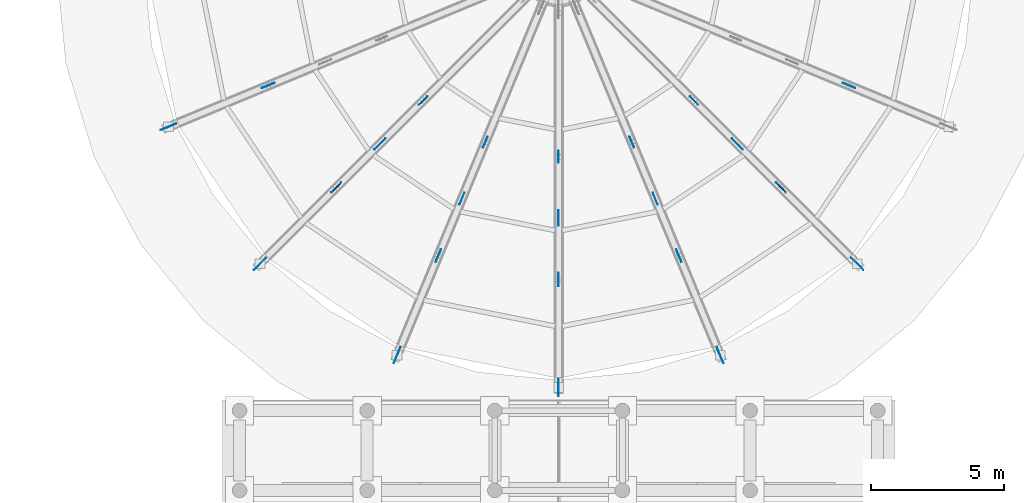
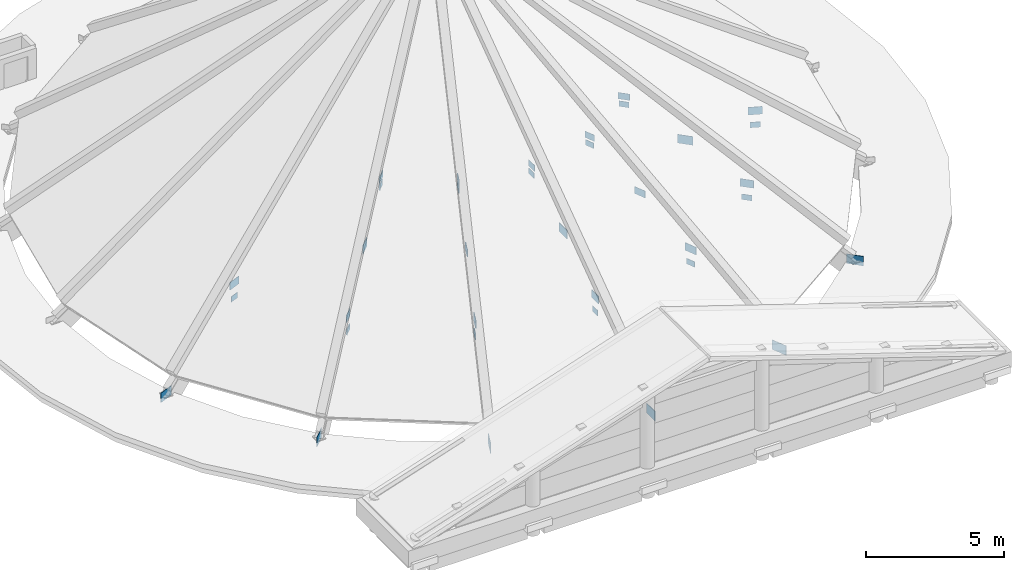
# One storey, part 27 of 58: 35 plates.
"""IFC4 building model written with IfcOpenShell, lengths in metres."""

import ifcopenshell
import ifcopenshell.guid

model = None  # the IFC model being written
_history = None  # IfcOwnerHistory: only IFC2X3 demands one
_inside = {}  # id of a spatial element -> (the spatial element, [elements in it])
_under = {}  # id of a project, library or spatial element -> (it, [spatial elements below it])
_declared = {}  # id of a project -> (the project, [libraries it declares])
_typed = {}  # id of a type object -> (the type object, [elements of that type])
_made_of = {}  # id of a material, layer set ... -> (it, [elements and type objects made of it])


def new_model(schema):
    """Start an empty IFC model of exactly this schema.

    Asked for "IFC4X3", IfcOpenShell would pick the latest addendum, in which some entities
    have other attributes; the version numbers below select the first issue.
    IFC2X3 requires an IfcOwnerHistory on every rooted entity: one is made here for all.
    """
    global model, _history
    if schema == "IFC4X3":
        model = ifcopenshell.file(schema_version=(4, 3, 0, 0))
    else:
        model = ifcopenshell.file(schema=schema)
    _inside.clear()
    _under.clear()
    _declared.clear()
    _typed.clear()
    _made_of.clear()
    _history = None
    if model.schema == "IFC2X3":
        org = make("IfcOrganization", Name="unknown")
        user = make(
            "IfcPersonAndOrganization",
            ThePerson=make("IfcPerson", FamilyName="unknown"),
            TheOrganization=org,
        )
        app = make(
            "IfcApplication",
            ApplicationDeveloper=org,
            Version="unknown",
            ApplicationFullName="unknown",
            ApplicationIdentifier="unknown",
        )
        _history = make(
            "IfcOwnerHistory",
            OwningUser=user,
            OwningApplication=app,
            ChangeAction="ADDED",
            CreationDate=0,
        )
    return model


def make(cls, **values):
    """One entity of the class cls with the attributes given. An attribute that is None is left unset."""
    return model.create_entity(
        cls, **{name: value for name, value in values.items() if value is not None}
    )


def rooted(cls, **values):
    """An entity with a GlobalId (a new one), such as an element, a storey or a relation."""
    return make(cls, GlobalId=ifcopenshell.guid.new(), OwnerHistory=_history, **values)


def si_unit(unit_type, name, prefix=None):
    """IfcSIUnit, for example si_unit("LENGTHUNIT", "METRE", prefix="MILLI")."""
    return make("IfcSIUnit", UnitType=unit_type, Prefix=prefix, Name=name)


def assignment(units):
    """IfcUnitAssignment: the units of a project."""
    return None if units is None else make("IfcUnitAssignment", Units=units)


def point(xyz):
    """IfcCartesianPoint."""
    return None if xyz is None else make("IfcCartesianPoint", Coordinates=xyz)


def direction(xyz):
    """IfcDirection."""
    return None if xyz is None else make("IfcDirection", DirectionRatios=xyz)


def frame(location, z_axis=None, x_axis=None):
    """IfcAxis2Placement3D, a coordinate frame: its origin and axes. An axis left out is left unset."""
    return make(
        "IfcAxis2Placement3D",
        Location=point(location),
        Axis=direction(z_axis),
        RefDirection=direction(x_axis),
    )


def frame_2d(location, x_axis=None):
    """IfcAxis2Placement2D, a coordinate frame in the plane: its origin and x axis."""
    return make(
        "IfcAxis2Placement2D", Location=point(location), RefDirection=direction(x_axis)
    )


def origin():
    """The frame at (0, 0, 0) with its axes left unset."""
    return frame((0.0, 0.0, 0.0))


def origin_2d():
    """The frame at (0, 0) in the plane with its x axis left unset."""
    return frame_2d((0.0, 0.0))


def place(relative_to, where):
    """IfcLocalPlacement: puts the frame where relative to a parent placement (None: the world)."""
    return make(
        "IfcLocalPlacement", PlacementRelTo=relative_to, RelativePlacement=where
    )


def context(
    kind, dimensions, precision=None, world=None, true_north=None, identifier=None
):
    """IfcGeometricRepresentationContext, for example the 3D "Model" context."""
    return make(
        "IfcGeometricRepresentationContext",
        ContextIdentifier=identifier,
        ContextType=kind,
        CoordinateSpaceDimension=dimensions,
        Precision=precision,
        WorldCoordinateSystem=world,
        TrueNorth=true_north,
    )


def subcontext(parent, identifier, kind, view, scale=None):
    """IfcGeometricRepresentationSubContext, for example "Body" below "Model"."""
    return make(
        "IfcGeometricRepresentationSubContext",
        ContextIdentifier=identifier,
        ContextType=kind,
        ParentContext=parent,
        TargetScale=scale,
        TargetView=view,
    )


def project(units=None, contexts=None):
    """IfcProject with its units and contexts."""
    return rooted(
        "IfcProject",
        Name="project",
        RepresentationContexts=contexts,
        UnitsInContext=assignment(units),
    )


def spatial(cls, under=None, at=None, **own):
    """A site, building, storey or space (cls), placed at a placement, below another one or the project."""
    s = rooted(cls, ObjectPlacement=at, **own)
    if under is not None:
        _under.setdefault(under.id(), (under, []))[1].append(s)
    return s


def profile(cls, at=None, kind="AREA", **sizes):
    """A parametric profile (cls). Its sizes go by their IFC names, for example OverallWidth=200.0."""
    return make(cls, ProfileType=kind, Position=at, **sizes)


def rectangle(**sizes):
    """IfcRectangleProfileDef."""
    return profile("IfcRectangleProfileDef", **sizes)


def extrude(swept, where, along, depth):
    """IfcExtrudedAreaSolid: the profile swept, set in the frame where, extruded along a direction by depth."""
    return make(
        "IfcExtrudedAreaSolid",
        SweptArea=swept,
        Position=where,
        ExtrudedDirection=direction(along),
        Depth=depth,
    )


def shape(context_of_items, identifier, shape_type, items):
    """IfcShapeRepresentation: the items that make up one representation, for example the "Body"."""
    return make(
        "IfcShapeRepresentation",
        ContextOfItems=context_of_items,
        RepresentationIdentifier=identifier,
        RepresentationType=shape_type,
        Items=items,
    )


def material(Name=None, Category=None):
    """IfcMaterial."""
    return make("IfcMaterial", Name=Name, Category=Category)


def layer(
    of_material, thickness, ventilated=None, Name=None, Category=None, Priority=None
):
    """IfcMaterialLayer: one layer of a wall or slab, of a material (None: an air gap)."""
    return make(
        "IfcMaterialLayer",
        Material=of_material,
        LayerThickness=thickness,
        IsVentilated=ventilated,
        Name=Name,
        Category=Category,
        Priority=Priority,
    )


def layer_set(layers, Name=None):
    """IfcMaterialLayerSet."""
    return make("IfcMaterialLayerSet", MaterialLayers=layers, LayerSetName=Name)


def made_of(thing, what):
    """Note that an element or type object is made of a material, layer set ...; save() writes the relation."""
    if what is not None:
        _made_of.setdefault(what.id(), (what, []))[1].append(thing)
    return thing


def type_object(cls, material=None, **own):
    """A type object (cls), such as IfcWallType, which elements share."""
    return made_of(rooted(cls, **own), material)


def element(
    cls,
    number,
    at=None,
    inside=None,
    cuts=None,
    type_object=None,
    material=None,
    context=None,
    identifier="Body",
    shape_type=None,
    held_by="IfcProductDefinitionShape",
    body=None,
    shapes=None,
    **own,
):
    """One element of the class cls, such as IfcWall. Its Tag is "e" and its number.

    at: its placement. inside: the storey or other place that contains it. cuts: it is an
    opening in that element (IfcRelVoidsElement). A single representation is given by context,
    identifier, shape_type and body (its items); several are given by shapes. held_by: the class
    of the entity that holds the representations. save() writes the other relations.
    """
    e = rooted(cls, Tag="e%d" % number, ObjectPlacement=at, **own)
    if body is not None:
        shapes = [shape(context, identifier, shape_type, body)]
    if shapes is not None:
        e.Representation = make(held_by, Representations=shapes)
    if inside is not None:
        _inside.setdefault(inside.id(), (inside, []))[1].append(e)
    if cuts is not None:
        rooted(
            "IfcRelVoidsElement", RelatingBuildingElement=cuts, RelatedOpeningElement=e
        )
    if type_object is not None:
        _typed.setdefault(type_object.id(), (type_object, []))[1].append(e)
    return made_of(e, material)


def aggregate(whole, parts):
    """IfcRelAggregates: a whole, such as a stair, and the parts it consists of."""
    return rooted("IfcRelAggregates", RelatingObject=whole, RelatedObjects=parts)


def save(model, path):
    """Write the relations noted so far, then the file.

    IfcRelAggregates (storeys below a building ...), IfcRelContainedInSpatialStructure (elements
    in a storey), IfcRelDefinesByType, IfcRelAssociatesMaterial and IfcRelDeclares: one each for
    every whole, place, type object, material and project.
    """
    for whole, parts in _under.values():
        aggregate(whole, parts)
    for where, things in _inside.values():
        rooted(
            "IfcRelContainedInSpatialStructure",
            RelatedElements=things,
            RelatingStructure=where,
        )
    for kind, things in _typed.values():
        rooted("IfcRelDefinesByType", RelatedObjects=things, RelatingType=kind)
    for what, things in _made_of.values():
        rooted("IfcRelAssociatesMaterial", RelatedObjects=things, RelatingMaterial=what)
    for by, libraries in _declared.values():
        rooted("IfcRelDeclares", RelatingContext=by, RelatedDefinitions=libraries)
    model.write(path)


model = new_model("IFC4")

# Units and contexts
model_context = context("Model", 3, precision=1e-05, world=origin(), true_north=direction((0.0, 1.0)))
body_context = subcontext(model_context, "Body", "Model", "MODEL_VIEW")
ifc_project = project(units=[si_unit("LENGTHUNIT", "METRE"), si_unit("AREAUNIT", "SQUARE_METRE"), si_unit("VOLUMEUNIT", "CUBIC_METRE"), si_unit("PLANEANGLEUNIT", "RADIAN"), si_unit("MASSUNIT", "GRAM", prefix="KILO")], contexts=[model_context])

# Site, building, storey
site_placement = place(None, origin())
site = spatial("IfcSite", under=ifc_project, at=site_placement, CompositionType="ELEMENT")
building_placement = place(site_placement, origin())
building = spatial("IfcBuilding", under=site, at=building_placement, Name="Aldenvaro Health Centre", CompositionType="ELEMENT")
storey_placement = place(building_placement, frame((0.0, 0.0, 8.75)))
storey = spatial("IfcBuildingStorey", under=building, at=storey_placement, Name="L02", CompositionType="ELEMENT", Elevation=8.75)

# Plates
ifc_material = material(Name="Steel ASTM A572 Grade 50", Category="steel")
ifc_layer_1 = layer(ifc_material, 0.02001953125, Name="Steel ASTM A572 Grade 50", Category="steel")
ifc_layer_set_1 = layer_set([ifc_layer_1], Name="Steel ASTM A572 Grade 50")
plate_type_1 = type_object("IfcPlateType", Name="PLT-GUS-01", PredefinedType="SHEET", material=ifc_layer_set_1)
for number, where, z_axis, x_axis, name in (
    (1, (72.3291015625, 13.923095703125, 0.239990234375), (0.0, 0.0, 1.0), (-0.923879532511, -0.382683432365, 0.0), "Truss Gusset Plate 10.1"),
    (2, (75.77099609375, 8.77099609375, 0.239990234375), (0.0, 0.0, 1.0), (-0.707106781187, -0.707106781187, 0.0), "Truss Gusset Plate 11.1"),
    (3, (80.923095703125, 5.3291015625, 0.239990234375), (0.0, 0.0, 1.0), (-0.382683432365, -0.923879532511, 0.0), "Truss Gusset Plate 12.1"),
    (4, (87.0, 4.1201171875, 0.239990234375), (0.0, 0.0, 1.0), (0.0, -1.0, 0.0), "Truss Gusset Plate 13.1"),
    (5, (93.076904296875, 5.3291015625, 0.239990234375), (0.0, 0.0, 1.0), (0.382683432365, -0.923879532511, 0.0), "Truss Gusset Plate 14.1"),
    (6, (98.22900390625, 8.77099609375, 0.239990234375), (0.0, 0.0, 1.0), (0.707106781187, -0.707106781187, 0.0), "Truss Gusset Plate 15.1"),
):
    element("IfcPlate", number, at=place(storey_placement, frame(where, z_axis=z_axis, x_axis=x_axis)), inside=storey, type_object=plate_type_1, Name=name, PredefinedType="SHEET", context=body_context, shape_type="SweptSolid", body=[
        extrude(rectangle(XDim=0.639892578125, YDim=0.02001953125, at=origin_2d()), origin(), (0.0, 0.0, 1.0), 0.419921875),
    ])
ifc_layer_2 = layer(ifc_material, 0.01806640625, Name="Steel ASTM A572 Grade 50", Category="steel")
ifc_layer_set_2 = layer_set([ifc_layer_2], Name="Steel ASTM A572 Grade 50")
plate_type_2 = type_object("IfcPlateType", Name="PLT-GUS-02", PredefinedType="SHEET", material=ifc_layer_set_2)
for number, where, z_axis, x_axis, name in (
    (7, (76.080078125, 15.47705078125, 2.93212890625), (0.0, 0.0, 1.0), (-0.923879532511, -0.382683432365, 0.0), "Truss Gusset Plate 10.2"),
    (8, (78.64208984375, 11.64208984375, 2.93212890625), (0.0, 0.0, 1.0), (-0.707106781187, -0.707106781187, 0.0), "Truss Gusset Plate 11.2"),
    (9, (82.47705078125, 9.080078125, 2.93212890625), (0.0, 0.0, 1.0), (-0.382683432365, -0.923879532511, 0.0), "Truss Gusset Plate 12.2"),
    (10, (87.0, 8.179931640625, 2.93212890625), (0.0, 0.0, 1.0), (0.0, -1.0, 0.0), "Truss Gusset Plate 13.2"),
    (11, (91.52294921875, 9.080078125, 2.93212890625), (0.0, 0.0, 1.0), (0.382683432365, -0.923879532511, 0.0), "Truss Gusset Plate 14.2"),
    (12, (95.35791015625, 11.64208984375, 2.93212890625), (0.0, 0.0, 1.0), (0.707106781187, -0.707106781187, 0.0), "Truss Gusset Plate 15.2"),
    (13, (97.919921875, 15.47705078125, 2.93212890625), (0.0, 0.0, 1.0), (0.923879532511, -0.382683432365, 0.0), "Truss Gusset Plate 16.2"),
):
    element("IfcPlate", number, at=place(storey_placement, frame(where, z_axis=z_axis, x_axis=x_axis)), inside=storey, type_object=plate_type_2, Name=name, PredefinedType="SHEET", context=body_context, shape_type="SweptSolid", body=[
        extrude(rectangle(XDim=0.52001953125, YDim=0.01806640625, at=origin_2d()), origin(), (0.0, 0.0, 1.0), 0.340087890625),
    ])
ifc_layer_3 = layer(ifc_material, 0.01611328125, Name="Steel ASTM A572 Grade 50", Category="steel")
ifc_layer_set_3 = layer_set([ifc_layer_3], Name="Steel ASTM A572 Grade 50")
plate_type_3 = type_object("IfcPlateType", Name="PLT-GUS-03", PredefinedType="SHEET", material=ifc_layer_set_3)
for number, where, z_axis, x_axis, name in (
    (14, (81.908935546875, 14.908935546875, 5.97900390625), (0.0, 0.0, 1.0), (-0.707106781187, -0.707106781187, 0.0), "Truss Gusset Plate 11.3"),
    (15, (84.2451171875, 13.347900390625, 5.97900390625), (0.0, 0.0, 1.0), (-0.382683432365, -0.923879532511, 0.0), "Truss Gusset Plate 12.3"),
    (16, (87.0, 12.800048828125, 5.97900390625), (0.0, 0.0, 1.0), (0.0, -1.0, 0.0), "Truss Gusset Plate 13.3"),
    (17, (89.7548828125, 13.347900390625, 5.97900390625), (0.0, 0.0, 1.0), (0.382683432365, -0.923879532511, 0.0), "Truss Gusset Plate 14.3"),
    (18, (92.091064453125, 14.908935546875, 5.97900390625), (0.0, 0.0, 1.0), (0.707106781187, -0.707106781187, 0.0), "Truss Gusset Plate 15.3"),
):
    element("IfcPlate", number, at=place(storey_placement, frame(where, z_axis=z_axis, x_axis=x_axis)), inside=storey, type_object=plate_type_3, Name=name, PredefinedType="SHEET", context=body_context, shape_type="SweptSolid", body=[
        extrude(rectangle(XDim=0.43994140625, YDim=0.01611328125, at=origin_2d()), origin(), (0.0, 0.0, 1.0), 0.280029296875),
    ])
ifc_layer_4 = layer(ifc_material, 0.02197265625, Name="Steel ASTM A572 Grade 50", Category="steel")
ifc_layer_set_4 = layer_set([ifc_layer_4], Name="Steel ASTM A572 Grade 50")
plate_type_4 = type_object("IfcPlateType", Name="PLT-GUS-04", PredefinedType="SHEET", material=ifc_layer_set_4)
for number, where, z_axis, x_axis, name in (
    (19, (76.080078125, 15.47705078125, 2.36181640625), (0.0, 0.0, 1.0), (-0.923879532511, -0.382683432365, 0.0), "Truss Web Top Gusset 10.1"),
    (20, (78.64208984375, 11.64208984375, 2.36181640625), (0.0, 0.0, 1.0), (-0.707106781187, -0.707106781187, 0.0), "Truss Web Top Gusset 11.1"),
    (21, (81.908935546875, 14.908935546875, 5.65283203125), (0.0, 0.0, 1.0), (-0.707106781187, -0.707106781187, 0.0), "Truss Web Top Gusset 11.2"),
    (22, (82.47705078125, 9.080078125, 2.36181640625), (0.0, 0.0, 1.0), (-0.382683432365, -0.923879532511, 0.0), "Truss Web Top Gusset 12.1"),
    (23, (84.2451171875, 13.347900390625, 5.65283203125), (0.0, 0.0, 1.0), (-0.382683432365, -0.923879532511, 0.0), "Truss Web Top Gusset 12.2"),
    (24, (87.0, 8.179931640625, 2.36181640625), (0.0, 0.0, 1.0), (0.0, -1.0, 0.0), "Truss Web Top Gusset 13.1"),
    (25, (87.0, 12.800048828125, 5.65283203125), (0.0, 0.0, 1.0), (0.0, -1.0, 0.0), "Truss Web Top Gusset 13.2"),
    (26, (91.52294921875, 9.080078125, 2.36181640625), (0.0, 0.0, 1.0), (0.382683432365, -0.923879532511, 0.0), "Truss Web Top Gusset 14.1"),
    (27, (89.7548828125, 13.347900390625, 5.65283203125), (0.0, 0.0, 1.0), (0.382683432365, -0.923879532511, 0.0), "Truss Web Top Gusset 14.2"),
    (28, (95.35791015625, 11.64208984375, 2.36181640625), (0.0, 0.0, 1.0), (0.707106781187, -0.707106781187, 0.0), "Truss Web Top Gusset 15.1"),
    (29, (92.091064453125, 14.908935546875, 5.65283203125), (0.0, 0.0, 1.0), (0.707106781187, -0.707106781187, 0.0), "Truss Web Top Gusset 15.2"),
    (30, (97.919921875, 15.47705078125, 2.36181640625), (0.0, 0.0, 1.0), (0.923879532511, -0.382683432365, 0.0), "Truss Web Top Gusset 16.1"),
):
    element("IfcPlate", number, at=place(storey_placement, frame(where, z_axis=z_axis, x_axis=x_axis)), inside=storey, type_object=plate_type_4, Name=name, PredefinedType="SHEET", context=body_context, shape_type="SweptSolid", body=[
        extrude(rectangle(XDim=0.3798828125, YDim=0.02197265625, at=origin_2d()), origin(), (0.0, 0.0, 1.0), 0.239990234375),
    ])
ifc_layer_5 = layer(ifc_material, 0.02392578125, Name="Steel ASTM A572 Grade 50", Category="steel")
ifc_layer_set_5 = layer_set([ifc_layer_5], Name="Steel ASTM A572 Grade 50")
plate_type_5 = type_object("IfcPlateType", Name="PLT-GUS-05", PredefinedType="SHEET", material=ifc_layer_set_5)
for number, where, z_axis, x_axis, name in (
    (31, (80.281982421875, 13.281982421875, 4.427001953125), (0.0, 0.0, 1.0), (-0.707106781187, -0.707106781187, 0.0), "Truss Gusset Plate 11.5"),
    (32, (87.0, 10.5, 4.427001953125), (0.0, 0.0, 1.0), (0.0, -1.0, 0.0), "Truss Gusset Plate 13.5"),
    (33, (93.718017578125, 13.281982421875, 4.427001953125), (0.0, 0.0, 1.0), (0.707106781187, -0.707106781187, 0.0), "Truss Gusset Plate 15.5"),
):
    element("IfcPlate", number, at=place(storey_placement, frame(where, z_axis=z_axis, x_axis=x_axis)), inside=storey, type_object=plate_type_5, Name=name, PredefinedType="SHEET", context=body_context, shape_type="SweptSolid", body=[
        extrude(rectangle(XDim=0.580078125, YDim=0.02392578125, at=origin_2d()), origin(), (0.0, 0.0, 1.0), 0.3798828125),
    ])
ifc_layer_6 = layer(ifc_material, 0.014892578125, Name="Steel ASTM A572 Grade 50", Category="steel")
ifc_layer_set_6 = layer_set([ifc_layer_6], Name="Steel ASTM A572 Grade 50")
plate_type_6 = type_object("IfcPlateType", Name="PLT-GUS-06", PredefinedType="SHEET", material=ifc_layer_set_6)
for number, where, z_axis, x_axis, name in (
    (34, (83.364990234375, 11.222900390625, 4.4619140625), (0.0, 0.0, 1.0), (-0.382683432365, -0.923879532511, 0.0), "Truss Gusset Plate 12.5"),
    (35, (90.635009765625, 11.222900390625, 4.4619140625), (0.0, 0.0, 1.0), (0.382683432365, -0.923879532511, 0.0), "Truss Gusset Plate 14.5"),
):
    element("IfcPlate", number, at=place(storey_placement, frame(where, z_axis=z_axis, x_axis=x_axis)), inside=storey, type_object=plate_type_6, Name=name, PredefinedType="SHEET", context=body_context, shape_type="SweptSolid", body=[
        extrude(rectangle(XDim=0.47998046875, YDim=0.014892578125, at=origin_2d()), origin(), (0.0, 0.0, 1.0), 0.31005859375),
    ])

save(model, "model.ifc")
